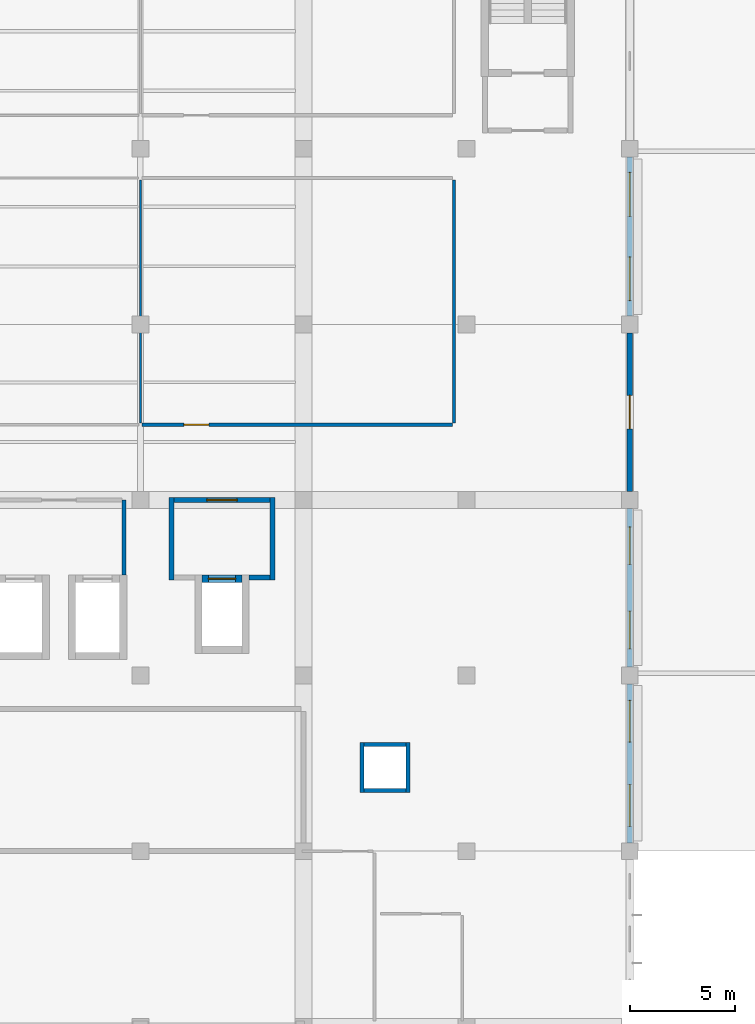
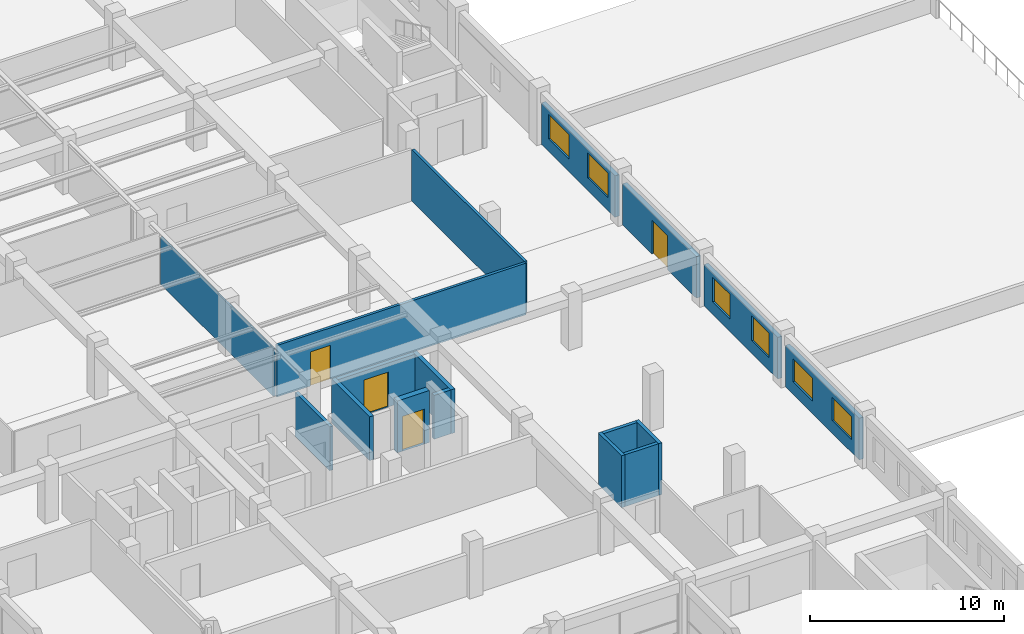
# One storey, part 42 of 50: 17 walls, 6 windows, 4 doors, 10 openings.
"""IFC4 building model written with IfcOpenShell, lengths in metres."""

from ifc_helpers import new_model, si_unit, direction, frame, frame_2d, origin, place, context, subcontext, project, spatial, rectangle, extrude, material, layer, layer_set, type_object, element, fill, save


model = new_model("IFC4")

# Units and contexts
model_context = context("Model", 3, precision=1e-05, world=origin(), true_north=direction((0.0, 1.0)))
body_context = subcontext(model_context, "Body", "Model", "MODEL_VIEW")
ifc_project = project(units=[si_unit("LENGTHUNIT", "METRE"), si_unit("AREAUNIT", "SQUARE_METRE"), si_unit("VOLUMEUNIT", "CUBIC_METRE"), si_unit("PLANEANGLEUNIT", "RADIAN"), si_unit("MASSUNIT", "GRAM", prefix="KILO"), si_unit("THERMODYNAMICTEMPERATUREUNIT", "KELVIN"), si_unit("POWERUNIT", "WATT")], contexts=[model_context])

# Site, building, storey
site_placement = place(None, origin())
site = spatial("IfcSite", under=ifc_project, at=site_placement, CompositionType="ELEMENT")
building_placement = place(site_placement, origin())
building = spatial("IfcBuilding", under=site, at=building_placement, Name="Srebrne Nadtorze General Hospital", CompositionType="ELEMENT")
storey_placement = place(building_placement, frame((0.0, 0.0, 14.39990234375)))
storey = spatial("IfcBuildingStorey", under=building, at=storey_placement, Name="L03", CompositionType="ELEMENT", Elevation=14.39990234375)

# Wall, opening, door
ifc_material_1 = material(Name="Gypsum Healthcare Partition")
ifc_layer_1 = layer(ifc_material_1, 0.159912109375)
ifc_layer_set_1 = layer_set([ifc_layer_1], Name="Gypsum Healthcare Partition")
wall_type_1 = type_object("IfcWallType", Name="Clinical partition 160", PredefinedType="PARTITIONING", material=ifc_layer_set_1)
wall_1_placement = place(storey_placement, frame((124.885009765625, 54.0, 0.0), z_axis=(0.0, 0.0, 1.0), x_axis=(1.0, 0.0, 0.0)))
wall_1 = element("IfcWall", 1, at=wall_1_placement, inside=storey, type_object=wall_type_1, Name="Histopathology and Cytology Laboratory wall WL-INT-L03-1612", PredefinedType="PARTITIONING", context=body_context, shape_type="SweptSolid", body=[
    extrude(rectangle(XDim=14.830078125, YDim=0.159912109375, at=frame_2d((7.4150390625, 0.0))), origin(), (0.0, 0.0, 1.0), 3.25),
])
opening_1_placement = place(wall_1_placement, frame((1.99072265625, 0.0, 0.0)))
opening_1 = element("IfcOpeningElement", 2, at=opening_1_placement, cuts=wall_1, Name="Opening D-L03-0267", PredefinedType="OPENING", context=body_context, shape_type="SweptSolid", body=[
    extrude(rectangle(XDim=1.199951171875, YDim=2.14990234375, at=frame_2d((0.60009765625, 1.074951171875))), frame((0.0, 0.091796875, 0.0), z_axis=(0.0, -1.0, 0.0), x_axis=(1.0, 0.0, 0.0)), (0.0, 0.0, 1.0), 0.183837890625),
])
ifc_material_2 = material(Name="Anodised Aluminium", Category="aluminium")
door_type_1 = type_object("IfcDoorType", Name="Single leaf door 1200x2150", OperationType="NOTDEFINED", PredefinedType="DOOR", material=ifc_material_2)
door_1_placement = place(opening_1_placement, origin())
door_1 = element("IfcDoor", 3, at=door_1_placement, inside=storey, type_object=door_type_1, Name="Histopathology and Cytology Laboratory door D-L03-0267", OperationType="SINGLE_SWING_LEFT", OverallHeight=2.14990234375, OverallWidth=1.199951171875, PredefinedType="DOOR", context=body_context, shape_type="SweptSolid", body=[
    extrude(rectangle(XDim=1.199951171875, YDim=2.14990234375, at=frame_2d((0.60009765625, 1.074951171875))), frame((0.0, 0.02490234375, 0.0), z_axis=(0.0, -1.0, 0.0), x_axis=(1.0, 0.0, 0.0)), (0.0, 0.0, 1.0), 0.050048828125),
])
fill(opening_1, door_1)

# Walls
wall_2_placement = place(storey_placement, frame((139.800048828125, 54.0849609375, 0.0), z_axis=(0.0, 0.0, 1.0), x_axis=(0.0, 1.0, 0.0)))
element("IfcWall", 4, at=wall_2_placement, inside=storey, type_object=wall_type_1, Name="Histopathology and Cytology Laboratory wall WL-INT-L03-1614", PredefinedType="PARTITIONING", context=body_context, shape_type="SweptSolid", body=[
    extrude(rectangle(XDim=11.630126953125, YDim=0.159912109375, at=frame_2d((5.81494140625, 0.0))), origin(), (0.0, 0.0, 1.0), 3.25),
])
ifc_material_3 = material(Name="Gypsum Healthcare Partition")
ifc_layer_2 = layer(ifc_material_3, 0.199951171875)
ifc_layer_set_2 = layer_set([ifc_layer_2], Name="Gypsum Healthcare Partition")
wall_type_2 = type_object("IfcWallType", Name="Compartment wall 200", PredefinedType="STANDARD", material=ifc_layer_set_2)
wall_3_placement = place(storey_placement, frame((124.02001953125, 46.81005859375, 0.0), z_axis=(0.0, 0.0, 1.0), x_axis=(0.0, 1.0, 0.0)))
element("IfcWall", 5, at=wall_3_placement, inside=storey, type_object=wall_type_2, Name="Lift lobby side wall WL-INT-L03-1041", PredefinedType="STANDARD", context=body_context, shape_type="SweptSolid", body=[
    extrude(rectangle(XDim=3.58984375, YDim=0.199951171875, at=frame_2d((1.794921875, 0.0))), origin(), (0.0, 0.0, 1.0), 2.77001953125),
])
for number, where, z_axis, x_axis, name in (
    (6, (135.39990234375, 36.39990234375, 0.0), (0.0, 0.0, 1.0), (0.0, 1.0, 0.0), "MEP riser wall WL-INT-L03-1047"),
    (7, (137.60009765625, 36.39990234375, 0.0), (0.0, 0.0, 1.0), (0.0, 1.0, 0.0), "MEP riser wall WL-INT-L03-1048"),
):
    element("IfcWall", number, at=place(storey_placement, frame(where, z_axis=z_axis, x_axis=x_axis)), inside=storey, type_object=wall_type_2, Name=name, PredefinedType="STANDARD", context=body_context, shape_type="SweptSolid", body=[
        extrude(rectangle(XDim=2.400146484375, YDim=0.199951171875, at=frame_2d((1.2001953125, 0.0))), origin(), (0.0, 0.0, 1.0), 3.27001953125),
    ])
for number, where, z_axis, x_axis, name in (
    (8, (135.5, 36.5, 0.0), (0.0, 0.0, 1.0), (1.0, 0.0, 0.0), "MEP riser wall WL-INT-L03-1049"),
    (9, (135.5, 38.699951171875, 0.0), (0.0, 0.0, 1.0), (1.0, 0.0, 0.0), "MEP riser wall WL-INT-L03-1050"),
):
    element("IfcWall", number, at=place(storey_placement, frame(where, z_axis=z_axis, x_axis=x_axis)), inside=storey, type_object=wall_type_2, Name=name, PredefinedType="STANDARD", context=body_context, shape_type="SweptSolid", body=[
        extrude(rectangle(XDim=2.0, YDim=0.199951171875, at=frame_2d((1.0, 0.0))), origin(), (0.0, 0.0, 1.0), 3.27001953125),
    ])
ifc_material_4 = material(Name="Gypsum Healthcare Partition")
ifc_layer_3 = layer(ifc_material_4, 0.239990234375)
ifc_layer_set_3 = layer_set([ifc_layer_3], Name="Gypsum Healthcare Partition")
wall_type_3 = type_object("IfcWallType", Name="Corridor fire wall 240", PredefinedType="STANDARD", material=ifc_layer_set_3)
for number, where, z_axis, x_axis, name in (
    (10, (126.280029296875, 46.570068359375, 0.0), (0.0, 0.0, 1.0), (0.0, 1.0, 0.0), "FF lift lobby wall WL-INT-L03-1035"),
    (11, (131.1201171875, 46.570068359375, 0.0), (0.0, 0.0, 1.0), (0.0, 1.0, 0.0), "FF lift lobby wall WL-INT-L03-1036"),
):
    element("IfcWall", number, at=place(storey_placement, frame(where, z_axis=z_axis, x_axis=x_axis)), inside=storey, type_object=wall_type_3, Name=name, PredefinedType="STANDARD", context=body_context, shape_type="SweptSolid", body=[
        extrude(rectangle(XDim=3.949951171875, YDim=0.239990234375, at=frame_2d((1.97509765625, 0.0))), origin(), (0.0, 0.0, 1.0), 2.77001953125),
    ])
wall_4_placement = place(storey_placement, frame((130.0, 46.68994140625, 0.0), z_axis=(0.0, 0.0, 1.0), x_axis=(1.0, 0.0, 0.0)))
element("IfcWall", 12, at=wall_4_placement, inside=storey, type_object=wall_type_3, Name="FF lift lobby return wall WL-INT-L03-1038", PredefinedType="STANDARD", context=body_context, shape_type="SweptSolid", body=[
    extrude(rectangle(XDim=1.0, YDim=0.239990234375, at=frame_2d((0.5, 0.0))), origin(), (0.0, 0.0, 1.0), 2.77001953125),
])

# Wall, opening, door
wall_5_placement = place(storey_placement, frame((126.39990234375, 50.39990234375, 0.0), z_axis=(0.0, 0.0, 1.0), x_axis=(1.0, 0.0, 0.0)))
wall_5 = element("IfcWall", 13, at=wall_5_placement, inside=storey, type_object=wall_type_3, Name="FF lift lobby front wall WL-INT-L03-1039", PredefinedType="STANDARD", context=body_context, shape_type="SweptSolid", body=[
    extrude(rectangle(XDim=4.60009765625, YDim=0.239990234375, at=frame_2d((2.300048828125, 0.0))), origin(), (0.0, 0.0, 1.0), 2.77001953125),
])
opening_2_placement = place(wall_5_placement, frame((1.574951171875, 0.0, 0.0)))
opening_2 = element("IfcOpeningElement", 14, at=opening_2_placement, cuts=wall_5, Name="Opening D-L03-0140", PredefinedType="OPENING", context=body_context, shape_type="SweptSolid", body=[
    extrude(rectangle(XDim=1.449951171875, YDim=2.199951171875, at=frame_2d((0.72509765625, 1.10009765625))), frame((0.0, 0.1318359375, 0.0), z_axis=(0.0, -1.0, 0.0), x_axis=(1.0, 0.0, 0.0)), (0.0, 0.0, 1.0), 0.263916015625),
])
ifc_material_5 = material(Name="Anodised Aluminium", Category="aluminium")
door_type_2 = type_object("IfcDoorType", Name="Double leaf door 1450x2200", OperationType="DOUBLE_DOOR_SINGLE_SWING", PredefinedType="DOOR", material=ifc_material_5)
door_2_placement = place(opening_2_placement, origin())
door_2 = element("IfcDoor", 15, at=door_2_placement, inside=storey, type_object=door_type_2, Name="Firefighting lift lobby door D-L03-0140", OperationType="DOUBLE_DOOR_SINGLE_SWING", OverallHeight=2.199951171875, OverallWidth=1.449951171875, PredefinedType="DOOR", context=body_context, shape_type="SweptSolid", body=[
    extrude(rectangle(XDim=1.449951171875, YDim=2.199951171875, at=frame_2d((0.72509765625, 1.10009765625))), frame((0.0, 0.02490234375, 0.0), z_axis=(0.0, -1.0, 0.0), x_axis=(1.0, 0.0, 0.0)), (0.0, 0.0, 1.0), 0.050048828125),
])
fill(opening_2, door_2)

# Wall
ifc_material_6 = material(Name="Gypsum Healthcare Partition")
ifc_layer_4 = layer(ifc_material_6, 0.10009765625)
ifc_layer_set_4 = layer_set([ifc_layer_4], Name="Gypsum Healthcare Partition")
wall_type_4 = type_object("IfcWallType", Name="Shaft lining wall 100", PredefinedType="PARTITIONING", material=ifc_layer_set_4)
wall_6_placement = place(storey_placement, frame((124.800048828125, 54.0849609375, 0.0), z_axis=(0.0, 0.0, 1.0), x_axis=(0.0, 1.0, 0.0)))
element("IfcWall", 16, at=wall_6_placement, inside=storey, type_object=wall_type_4, Name="Clinical Microbiology Laboratory wall WL-INT-L03-1611", PredefinedType="PARTITIONING", context=body_context, shape_type="SweptSolid", body=[
    extrude(rectangle(XDim=11.630126953125, YDim=0.10009765625, at=frame_2d((5.81494140625, 0.0))), origin(), (0.0, 0.0, 1.0), 3.0),
])

# Wall, opening, door
ifc_material_7 = material(Name="Concrete C40/50", Category="concrete")
ifc_layer_5 = layer(ifc_material_7, 0.35009765625)
ifc_layer_set_5 = layer_set([ifc_layer_5], Name="Concrete C40/50")
wall_type_5 = type_object("IfcWallType", Name="Shear core wall 350", PredefinedType="SHEAR", material=ifc_layer_set_5)
wall_7_placement = place(storey_placement, frame((127.75, 46.635009765625, 0.0), z_axis=(0.0, 0.0, 1.0), x_axis=(1.0, 0.0, 0.0)))
wall_7 = element("IfcWall", 17, at=wall_7_placement, inside=storey, type_object=wall_type_5, Name="Lift shaft front wall FL-03 WL-INT-L03-0853", PredefinedType="SHEAR", context=body_context, shape_type="SweptSolid", body=[
    extrude(rectangle(XDim=1.89990234375, YDim=0.35009765625, at=frame_2d((0.949951171875, 0.0))), origin(), (0.0, 0.0, 1.0), 3.27001953125),
])
opening_3_placement = place(wall_7_placement, frame((0.300048828125, 0.0, 0.0)))
opening_3 = element("IfcOpeningElement", 18, at=opening_3_placement, cuts=wall_7, Name="Opening LD-L03-097", PredefinedType="OPENING", context=body_context, shape_type="SweptSolid", body=[
    extrude(rectangle(XDim=1.300048828125, YDim=2.199951171875, at=frame_2d((0.64990234375, 1.10009765625))), frame((0.0, 0.18701171875, 0.0), z_axis=(0.0, -1.0, 0.0), x_axis=(1.0, 0.0, 0.0)), (0.0, 0.0, 1.0), 0.3740234375),
])
ifc_material_8 = material(Name="Anodised Aluminium", Category="aluminium")
door_type_3 = type_object("IfcDoorType", Name="Sliding lift door 1300x2200", OperationType="SLIDING_TO_LEFT", PredefinedType="DOOR", material=ifc_material_8)
door_3_placement = place(opening_3_placement, origin())
door_3 = element("IfcDoor", 19, at=door_3_placement, inside=storey, type_object=door_type_3, Name="Lift Landing Door LD-L03-097", OperationType="SLIDING_TO_LEFT", OverallHeight=2.199951171875, OverallWidth=1.300048828125, PredefinedType="DOOR", context=body_context, shape_type="SweptSolid", body=[
    extrude(rectangle(XDim=1.300048828125, YDim=2.199951171875, at=frame_2d((0.64990234375, 1.10009765625))), frame((0.0, 0.02490234375, 0.0), z_axis=(0.0, -1.0, 0.0), x_axis=(1.0, 0.0, 0.0)), (0.0, 0.0, 1.0), 0.050048828125),
])
fill(opening_3, door_3)

# Wall, openings, windows
ifc_material_9 = material(Name="Concrete C35/45 precast", Category="concrete")
ifc_layer_6 = layer(ifc_material_9, 0.260009765625)
ifc_layer_set_6 = layer_set([ifc_layer_6], Name="Concrete C35/45 precast")
wall_type_6 = type_object("IfcWallType", Name="Spandrel wall 260", PredefinedType="STANDARD", material=ifc_layer_set_6)
wall_8_placement = place(storey_placement, frame((148.199951171875, 34.0, 0.0), z_axis=(0.0, 0.0, 1.0), x_axis=(0.0, 1.0, 0.0)))
wall_8 = element("IfcWall", 20, at=wall_8_placement, inside=storey, type_object=wall_type_6, Name="Exterior wall WL-ENV-L03-0337", PredefinedType="STANDARD", context=body_context, shape_type="SweptSolid", body=[
    extrude(rectangle(XDim=7.60009765625, YDim=0.260009765625, at=frame_2d((3.800048828125, 0.0))), origin(), (0.0, 0.0, 1.0), 2.6201171875),
])
opening_4_placement = place(wall_8_placement, frame((0.783935546875, 0.0, 0.800048828125)))
opening_4 = element("IfcOpeningElement", 21, at=opening_4_placement, cuts=wall_8, Name="Opening WN-L03-0497", PredefinedType="OPENING", context=body_context, shape_type="SweptSolid", body=[
    extrude(rectangle(XDim=2.0, YDim=1.449951171875, at=frame_2d((1.0, 0.72509765625))), frame((0.0, 0.14208984375, 0.0), z_axis=(0.0, -1.0, 0.0), x_axis=(1.0, 0.0, 0.0)), (0.0, 0.0, 1.0), 0.283935546875),
])
opening_5_placement = place(wall_8_placement, frame((4.81591796875, 0.0, 0.800048828125)))
opening_5 = element("IfcOpeningElement", 22, at=opening_5_placement, cuts=wall_8, Name="Opening WN-L03-0498", PredefinedType="OPENING", context=body_context, shape_type="SweptSolid", body=[
    extrude(rectangle(XDim=2.0, YDim=1.449951171875, at=frame_2d((1.0, 0.72509765625))), frame((0.0, 0.14208984375, 0.0), z_axis=(0.0, -1.0, 0.0), x_axis=(1.0, 0.0, 0.0)), (0.0, 0.0, 1.0), 0.283935546875),
])
ifc_material_10 = material(Name="Triple Low-E Glazing", Category="glass")
window_type_1 = type_object("IfcWindowType", Name="Punched clinical window 2000x1450", PartitioningType="DOUBLE_PANEL_VERTICAL", PredefinedType="WINDOW", material=ifc_material_10)
window_1_placement = place(opening_4_placement, origin())
window_1 = element("IfcWindow", 23, at=window_1_placement, inside=storey, type_object=window_type_1, Name="Clinical window WN-L03-0497", OverallHeight=1.449951171875, OverallWidth=2.0, PartitioningType="DOUBLE_PANEL_VERTICAL", PredefinedType="WINDOW", context=body_context, shape_type="SweptSolid", body=[
    extrude(rectangle(XDim=2.0, YDim=1.449951171875, at=frame_2d((1.0, 0.72509765625))), frame((0.0, 0.030029296875, 0.0), z_axis=(0.0, -1.0, 0.0), x_axis=(1.0, 0.0, 0.0)), (0.0, 0.0, 1.0), 0.06005859375),
])
fill(opening_4, window_1)
window_2_placement = place(opening_5_placement, origin())
window_2 = element("IfcWindow", 24, at=window_2_placement, inside=storey, type_object=window_type_1, Name="Clinical window WN-L03-0498", OverallHeight=1.449951171875, OverallWidth=2.0, PartitioningType="DOUBLE_PANEL_VERTICAL", PredefinedType="WINDOW", context=body_context, shape_type="SweptSolid", body=[
    extrude(rectangle(XDim=2.0, YDim=1.449951171875, at=frame_2d((1.0, 0.72509765625))), frame((0.0, 0.030029296875, 0.0), z_axis=(0.0, -1.0, 0.0), x_axis=(1.0, 0.0, 0.0)), (0.0, 0.0, 1.0), 0.06005859375),
])
fill(opening_5, window_2)

wall_9_placement = place(storey_placement, frame((148.199951171875, 42.39990234375, 0.0), z_axis=(0.0, 0.0, 1.0), x_axis=(0.0, 1.0, 0.0)))
wall_9 = element("IfcWall", 25, at=wall_9_placement, inside=storey, type_object=wall_type_6, Name="Exterior wall WL-ENV-L03-0338", PredefinedType="STANDARD", context=body_context, shape_type="SweptSolid", body=[
    extrude(rectangle(XDim=7.60009765625, YDim=0.260009765625, at=frame_2d((3.800048828125, 0.0))), origin(), (0.0, 0.0, 1.0), 2.6201171875),
])
opening_6_placement = place(wall_9_placement, frame((0.884033203125, 0.0, 0.800048828125)))
opening_6 = element("IfcOpeningElement", 26, at=opening_6_placement, cuts=wall_9, Name="Opening WN-L03-0499", PredefinedType="OPENING", context=body_context, shape_type="SweptSolid", body=[
    extrude(rectangle(XDim=1.800048828125, YDim=1.550048828125, at=frame_2d((0.89990234375, 0.77490234375))), frame((0.0, 0.14208984375, 0.0), z_axis=(0.0, -1.0, 0.0), x_axis=(1.0, 0.0, 0.0)), (0.0, 0.0, 1.0), 0.283935546875),
])
opening_7_placement = place(wall_9_placement, frame((4.916015625, 0.0, 0.800048828125)))
opening_7 = element("IfcOpeningElement", 27, at=opening_7_placement, cuts=wall_9, Name="Opening WN-L03-0500", PredefinedType="OPENING", context=body_context, shape_type="SweptSolid", body=[
    extrude(rectangle(XDim=1.800048828125, YDim=1.550048828125, at=frame_2d((0.89990234375, 0.77490234375))), frame((0.0, 0.14208984375, 0.0), z_axis=(0.0, -1.0, 0.0), x_axis=(1.0, 0.0, 0.0)), (0.0, 0.0, 1.0), 0.283935546875),
])
ifc_material_11 = material(Name="Triple Low-E Glazing", Category="glass")
window_type_2 = type_object("IfcWindowType", Name="Punched clinical window 1800x1550", PartitioningType="DOUBLE_PANEL_VERTICAL", PredefinedType="WINDOW", material=ifc_material_11)
window_3_placement = place(opening_6_placement, origin())
window_3 = element("IfcWindow", 28, at=window_3_placement, inside=storey, type_object=window_type_2, Name="Clinical window WN-L03-0499", OverallHeight=1.550048828125, OverallWidth=1.800048828125, PartitioningType="DOUBLE_PANEL_VERTICAL", PredefinedType="WINDOW", context=body_context, shape_type="SweptSolid", body=[
    extrude(rectangle(XDim=1.800048828125, YDim=1.550048828125, at=frame_2d((0.89990234375, 0.77490234375))), frame((0.0, 0.030029296875, 0.0), z_axis=(0.0, -1.0, 0.0), x_axis=(1.0, 0.0, 0.0)), (0.0, 0.0, 1.0), 0.06005859375),
])
fill(opening_6, window_3)
window_4_placement = place(opening_7_placement, origin())
window_4 = element("IfcWindow", 29, at=window_4_placement, inside=storey, type_object=window_type_2, Name="Clinical window WN-L03-0500", OverallHeight=1.550048828125, OverallWidth=1.800048828125, PartitioningType="DOUBLE_PANEL_VERTICAL", PredefinedType="WINDOW", context=body_context, shape_type="SweptSolid", body=[
    extrude(rectangle(XDim=1.800048828125, YDim=1.550048828125, at=frame_2d((0.89990234375, 0.77490234375))), frame((0.0, 0.030029296875, 0.0), z_axis=(0.0, -1.0, 0.0), x_axis=(1.0, 0.0, 0.0)), (0.0, 0.0, 1.0), 0.06005859375),
])
fill(opening_7, window_4)

# Wall, opening, door
wall_10_placement = place(storey_placement, frame((148.199951171875, 50.800048828125, 0.0), z_axis=(0.0, 0.0, 1.0), x_axis=(0.0, 1.0, 0.0)))
wall_10 = element("IfcWall", 30, at=wall_10_placement, inside=storey, type_object=wall_type_6, Name="Exterior wall WL-ENV-L03-0339", PredefinedType="STANDARD", context=body_context, shape_type="SweptSolid", body=[
    extrude(rectangle(XDim=7.599853515625, YDim=0.260009765625, at=frame_2d((3.7998046875, 0.0))), origin(), (0.0, 0.0, 1.0), 2.6201171875),
])
opening_8_placement = place(wall_10_placement, frame((3.0, 0.0, 0.0)))
opening_8 = element("IfcOpeningElement", 31, at=opening_8_placement, cuts=wall_10, Name="Opening D-L03-E019", PredefinedType="OPENING", context=body_context, shape_type="SweptSolid", body=[
    extrude(rectangle(XDim=1.60009765625, YDim=2.14990234375, at=frame_2d((0.800048828125, 1.074951171875))), frame((0.0, 0.14208984375, 0.0), z_axis=(0.0, -1.0, 0.0), x_axis=(1.0, 0.0, 0.0)), (0.0, 0.0, 1.0), 0.283935546875),
])
ifc_material_12 = material(Name="Anodised Aluminium", Category="aluminium")
door_type_4 = type_object("IfcDoorType", Name="Double leaf door 1600x2150", OperationType="DOUBLE_DOOR_SINGLE_SWING", PredefinedType="DOOR", material=ifc_material_12)
door_4_placement = place(opening_8_placement, frame((1.60009765625, 0.0, 0.0), z_axis=(0.0, 0.0, 1.0), x_axis=(-1.0, 0.0, 0.0)))
door_4 = element("IfcDoor", 32, at=door_4_placement, inside=storey, type_object=door_type_4, Name="Exterior door D-L03-E019", OperationType="DOUBLE_DOOR_SINGLE_SWING", OverallHeight=2.14990234375, OverallWidth=1.60009765625, PredefinedType="DOOR", context=body_context, shape_type="SweptSolid", body=[
    extrude(rectangle(XDim=1.60009765625, YDim=2.14990234375, at=frame_2d((0.800048828125, 1.074951171875))), frame((0.0, 0.02490234375, 0.0), z_axis=(0.0, -1.0, 0.0), x_axis=(1.0, 0.0, 0.0)), (0.0, 0.0, 1.0), 0.050048828125),
])
fill(opening_8, door_4)

# Wall, openings, windows
wall_11_placement = place(storey_placement, frame((148.199951171875, 59.199951171875, 0.0), z_axis=(0.0, 0.0, 1.0), x_axis=(0.0, 1.0, 0.0)))
wall_11 = element("IfcWall", 33, at=wall_11_placement, inside=storey, type_object=wall_type_6, Name="Exterior wall WL-ENV-L03-0340", PredefinedType="STANDARD", context=body_context, shape_type="SweptSolid", body=[
    extrude(rectangle(XDim=7.60009765625, YDim=0.260009765625, at=frame_2d((3.800048828125, 0.0))), origin(), (0.0, 0.0, 1.0), 2.6201171875),
])
opening_9_placement = place(wall_11_placement, frame((0.73388671875, 0.0, 0.800048828125)))
opening_9 = element("IfcOpeningElement", 34, at=opening_9_placement, cuts=wall_11, Name="Opening WN-L03-0501", PredefinedType="OPENING", context=body_context, shape_type="SweptSolid", body=[
    extrude(rectangle(XDim=2.10009765625, YDim=1.550048828125, at=frame_2d((1.050048828125, 0.77490234375))), frame((0.0, 0.14208984375, 0.0), z_axis=(0.0, -1.0, 0.0), x_axis=(1.0, 0.0, 0.0)), (0.0, 0.0, 1.0), 0.283935546875),
])
opening_10_placement = place(wall_11_placement, frame((4.76611328125, 0.0, 0.800048828125)))
opening_10 = element("IfcOpeningElement", 35, at=opening_10_placement, cuts=wall_11, Name="Opening WN-L03-0502", PredefinedType="OPENING", context=body_context, shape_type="SweptSolid", body=[
    extrude(rectangle(XDim=2.10009765625, YDim=1.550048828125, at=frame_2d((1.050048828125, 0.77490234375))), frame((0.0, 0.14208984375, 0.0), z_axis=(0.0, -1.0, 0.0), x_axis=(1.0, 0.0, 0.0)), (0.0, 0.0, 1.0), 0.283935546875),
])
ifc_material_13 = material(Name="Triple Low-E Glazing", Category="glass")
window_type_3 = type_object("IfcWindowType", Name="Punched clinical window 2100x1550", PartitioningType="DOUBLE_PANEL_VERTICAL", PredefinedType="WINDOW", material=ifc_material_13)
window_5_placement = place(opening_9_placement, origin())
window_5 = element("IfcWindow", 36, at=window_5_placement, inside=storey, type_object=window_type_3, Name="Clinical window WN-L03-0501", OverallHeight=1.550048828125, OverallWidth=2.10009765625, PartitioningType="DOUBLE_PANEL_VERTICAL", PredefinedType="WINDOW", context=body_context, shape_type="SweptSolid", body=[
    extrude(rectangle(XDim=2.10009765625, YDim=1.550048828125, at=frame_2d((1.050048828125, 0.77490234375))), frame((0.0, 0.030029296875, 0.0), z_axis=(0.0, -1.0, 0.0), x_axis=(1.0, 0.0, 0.0)), (0.0, 0.0, 1.0), 0.06005859375),
])
fill(opening_9, window_5)
window_6_placement = place(opening_10_placement, origin())
window_6 = element("IfcWindow", 37, at=window_6_placement, inside=storey, type_object=window_type_3, Name="Clinical window WN-L03-0502", OverallHeight=1.550048828125, OverallWidth=2.10009765625, PartitioningType="DOUBLE_PANEL_VERTICAL", PredefinedType="WINDOW", context=body_context, shape_type="SweptSolid", body=[
    extrude(rectangle(XDim=2.10009765625, YDim=1.550048828125, at=frame_2d((1.050048828125, 0.77490234375))), frame((0.0, 0.030029296875, 0.0), z_axis=(0.0, -1.0, 0.0), x_axis=(1.0, 0.0, 0.0)), (0.0, 0.0, 1.0), 0.06005859375),
])
fill(opening_10, window_6)

save(model, "model.ifc")
